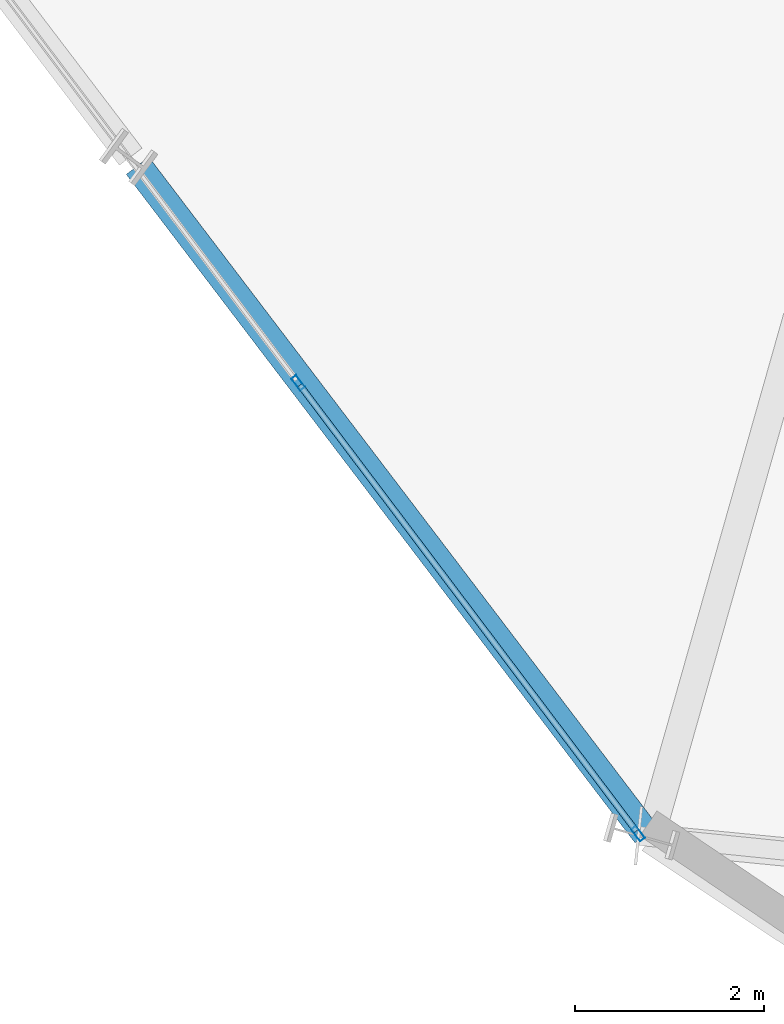
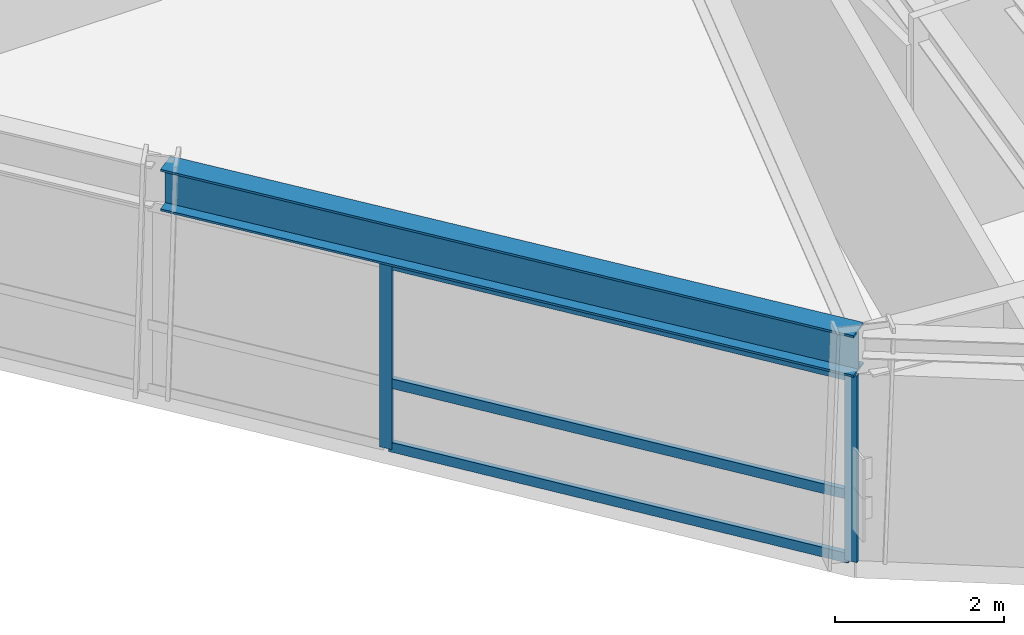
# One storey, part 2 of 15: 5 members, 1 beam, 1 element without a shape of its own.
"""IFC4 building model written with IfcOpenShell, lengths in metres."""

from ifc_helpers import new_model, si_unit, direction, frame, origin, origin_2d, place, context, subcontext, project, spatial, hollow_rectangle, i_section, extrude, source, transform, mapped, material, material_profile, profile_set, type_object, element, aggregate, save


model = new_model("IFC4")

# Units and contexts
model_context = context("Model", 3, precision=1e-05, world=origin(), true_north=direction((0.0, 1.0)))
body_context = subcontext(model_context, "Body", "Model", "MODEL_VIEW")
ifc_project = project(units=[si_unit("LENGTHUNIT", "METRE"), si_unit("AREAUNIT", "SQUARE_METRE"), si_unit("VOLUMEUNIT", "CUBIC_METRE"), si_unit("PLANEANGLEUNIT", "RADIAN"), si_unit("MASSUNIT", "GRAM", prefix="KILO")], contexts=[model_context])

# Site, building, storey
site_placement = place(None, origin())
site = spatial("IfcSite", under=ifc_project, at=site_placement, CompositionType="ELEMENT")
building_placement = place(site_placement, origin())
building = spatial("IfcBuilding", under=site, at=building_placement, Name="Olszyna Solenne Hotel", CompositionType="ELEMENT")
storey_placement = place(building_placement, frame((0.0, 0.0, 150.14990234375)))
storey = spatial("IfcBuildingStorey", under=building, at=storey_placement, Name="L39", CompositionType="ELEMENT", Elevation=150.14990234375)

# Beam
ifc_material_1 = material(Name="Steel S355J2", Category="steel")
ifc_material_profile_1 = material_profile(ifc_material_1, i_section(OverallWidth=0.300048828125, OverallDepth=0.60009765625, WebThickness=0.015380859375, FlangeThickness=0.030029296875, at=origin_2d()), Name="HEB 600", Category="load-bearing")
ifc_profile_set_1 = profile_set([ifc_material_profile_1], Name="Steel S355J2")
beam_type = type_object("IfcBeamType", Name="BM-S2", PredefinedType="BEAM", material=ifc_profile_set_1)
shared_shape_1 = source(origin(), body_context, "Body", "SweptSolid", [
    extrude(i_section(OverallWidth=0.300048828125, OverallDepth=0.60009765625, WebThickness=0.015380859375, FlangeThickness=0.030029296875, at=origin_2d()), origin(), (0.0, 0.0, 1.0), 8.8720703125),
])
beam_placement = place(storey_placement, frame((25.847900390625, 9.901123046875, 3.0), z_axis=(0.60558131376, -0.795783433118, 0.0), x_axis=(0.795783433118, 0.60558131376, 0.0)))
element("IfcBeam", 1, at=beam_placement, inside=storey, type_object=beam_type, Name="Perimeter spandrel beam BM-S2 B-L39-1163", PredefinedType="BEAM", context=body_context, shape_type="MappedRepresentation", body=[
    mapped(shared_shape_1, transform((0.0, 0.0, 0.0), x_axis=(1.0, 0.0, 0.0), y_axis=(0.0, 1.0, 0.0), z_axis=(0.0, 0.0, 1.0), scale=1.0)),
])

# Curtain wall, members
ifc_material_2 = material(Name="Anodised bronze aluminium", Category="aluminium")
curtain_wall_type = type_object("IfcCurtainWallType", Name="CW-SYS-4", PredefinedType="NOTDEFINED", material=ifc_material_2)
curtain_wall_placement = place(storey_placement, origin())
curtain_wall = element("IfcCurtainWall", 2, at=curtain_wall_placement, inside=storey, type_object=curtain_wall_type, Name="Unitised curtain wall CW-SYS-4 CW-L39-01", PredefinedType="NOTDEFINED")
ifc_material_profile_2 = material_profile(ifc_material_2, hollow_rectangle(XDim=0.06494140625, YDim=0.159912109375, WallThickness=0.00390625, at=origin_2d()), Name="MULL 160x65x4", Category="load-bearing")
ifc_profile_set_2 = profile_set([ifc_material_profile_2], Name="Anodised bronze aluminium")
member_type_1 = type_object("IfcMemberType", Name="CW-M3", PredefinedType="MULLION", material=ifc_profile_set_2)
shared_shape_2 = source(origin(), body_context, "Body", "SweptSolid", [
    extrude(hollow_rectangle(XDim=0.06494140625, YDim=0.159912109375, WallThickness=0.00390625, at=origin_2d()), origin(), (0.0, 0.0, 1.0), 2.692138671875),
])
member_1_placement = place(storey_placement, frame((27.543701171875, 7.60888671875, 0.0), z_axis=(0.0, 0.0, 1.0), x_axis=(0.798435917295, 0.602079800336, 0.0)))
member_1 = element("IfcMember", 3, at=member_1_placement, type_object=member_type_1, Name="Curtain-wall mullion CW-M3 CM-L39-01-03", PredefinedType="MULLION", context=body_context, shape_type="MappedRepresentation", body=[
    mapped(shared_shape_2, transform((0.0, 0.0, 0.0), x_axis=(1.0, 0.0, 0.0), y_axis=(0.0, 1.0, 0.0), z_axis=(0.0, 0.0, 1.0), scale=1.0)),
])
member_2_placement = place(storey_placement, frame((31.133544921875, 2.8486328125, 0.0), z_axis=(0.0, 0.0, 1.0), x_axis=(0.798435917295, 0.602079800336, 0.0)))
member_2 = element("IfcMember", 4, at=member_2_placement, type_object=member_type_1, Name="Curtain-wall mullion CW-M3 CM-L39-01-04", PredefinedType="MULLION", context=body_context, shape_type="MappedRepresentation", body=[
    mapped(shared_shape_2, transform((0.0, 0.0, 0.0), x_axis=(1.0, 0.0, 0.0), y_axis=(0.0, 1.0, 0.0), z_axis=(0.0, 0.0, 1.0), scale=1.0)),
])
ifc_material_profile_3 = material_profile(ifc_material_2, hollow_rectangle(XDim=0.06494140625, YDim=0.139892578125, WallThickness=0.00390625, at=origin_2d()), Name="TRAN 140x65x4", Category="load-bearing")
ifc_profile_set_3 = profile_set([ifc_material_profile_3], Name="Anodised bronze aluminium")
member_type_2 = type_object("IfcMemberType", Name="CW-T2", PredefinedType="USERDEFINED", material=ifc_profile_set_3)
shared_shape_3 = source(origin(), body_context, "Body", "SweptSolid", [
    extrude(hollow_rectangle(XDim=0.06494140625, YDim=0.139892578125, WallThickness=0.00390625, at=origin_2d()), origin(), (0.0, 0.0, 1.0), 5.897216796875),
])
member_3_placement = place(storey_placement, frame((27.5634765625, 7.5830078125, 0.03271484375), z_axis=(0.602077900192, -0.798437350141, 0.0), x_axis=(0.798437350141, 0.602077900192, 0.0)))
member_3 = element("IfcMember", 5, at=member_3_placement, type_object=member_type_2, Name="Curtain-wall transom CW-T2 CT-L39-01-07", ObjectType="TRANSOM", PredefinedType="USERDEFINED", context=body_context, shape_type="MappedRepresentation", body=[
    mapped(shared_shape_3, transform((0.0, 0.0, 0.0), x_axis=(1.0, 0.0, 0.0), y_axis=(0.0, 1.0, 0.0), z_axis=(0.0, 0.0, 1.0), scale=1.0)),
])
member_4_placement = place(storey_placement, frame((27.5634765625, 7.5830078125, 0.9501953125), z_axis=(0.602077900192, -0.798437350141, 0.0), x_axis=(0.798437350141, 0.602077900192, 0.0)))
member_4 = element("IfcMember", 6, at=member_4_placement, type_object=member_type_2, Name="Curtain-wall transom CW-T2 CT-L39-01-08", ObjectType="TRANSOM", PredefinedType="USERDEFINED", context=body_context, shape_type="MappedRepresentation", body=[
    mapped(shared_shape_3, transform((0.0, 0.0, 0.0), x_axis=(1.0, 0.0, 0.0), y_axis=(0.0, 1.0, 0.0), z_axis=(0.0, 0.0, 1.0), scale=1.0)),
])
member_5_placement = place(storey_placement, frame((27.5634765625, 7.5830078125, 2.65966796875), z_axis=(0.602077900192, -0.798437350141, 0.0), x_axis=(0.798437350141, 0.602077900192, 0.0)))
member_5 = element("IfcMember", 7, at=member_5_placement, type_object=member_type_2, Name="Curtain-wall transom CW-T2 CT-L39-01-09", ObjectType="TRANSOM", PredefinedType="USERDEFINED", context=body_context, shape_type="MappedRepresentation", body=[
    mapped(shared_shape_3, transform((0.0, 0.0, 0.0), x_axis=(1.0, 0.0, 0.0), y_axis=(0.0, 1.0, 0.0), z_axis=(0.0, 0.0, 1.0), scale=1.0)),
])
aggregate(curtain_wall, [member_1, member_2, member_3, member_4, member_5])

save(model, "model.ifc")
